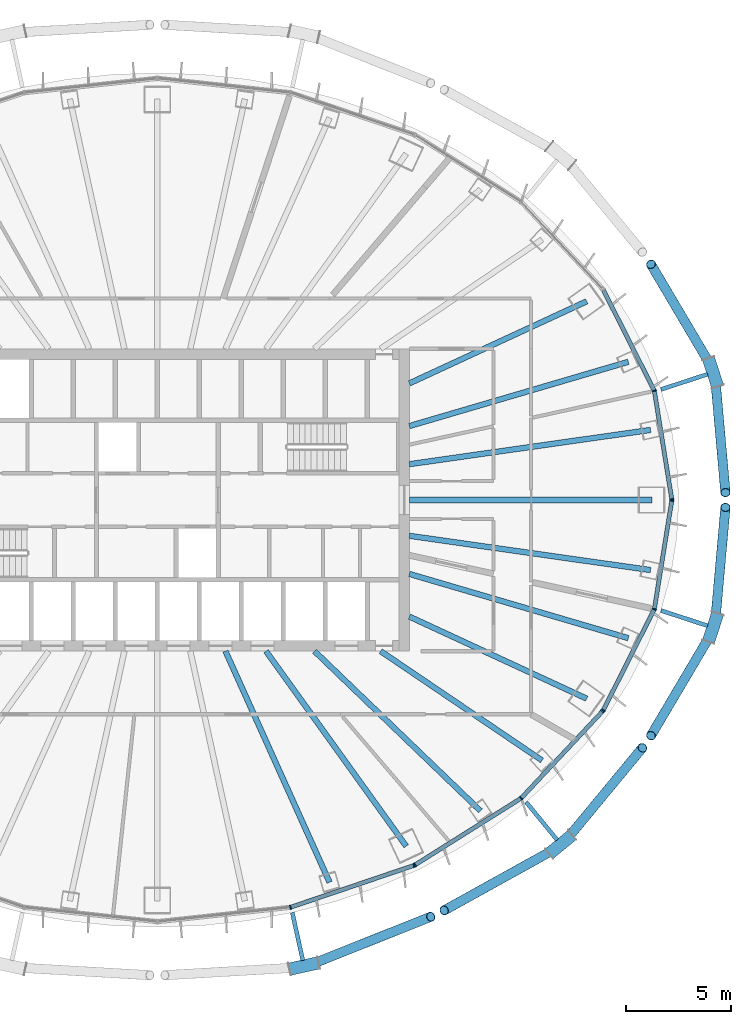
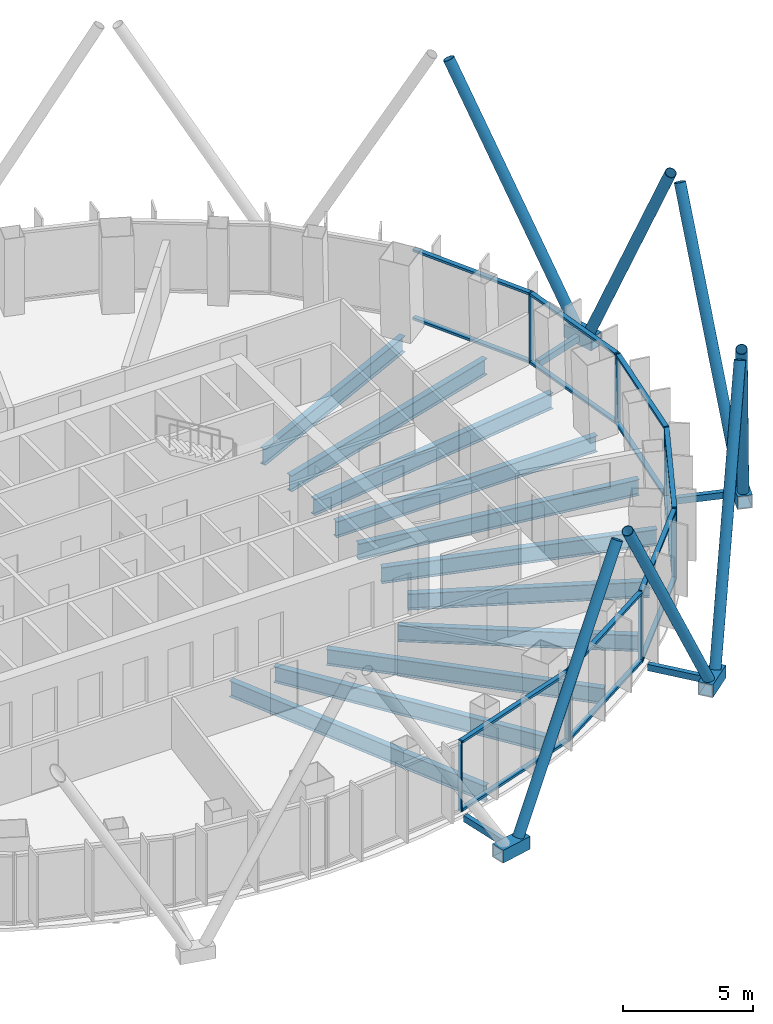
# One storey, part 4 of 18: 39 members, 11 beams, 4 elements without a shape of their own.
"""IFC4 building model written with IfcOpenShell, lengths in metres."""

from ifc_helpers import new_model, si_unit, direction, frame, origin, origin_2d, place, context, subcontext, project, spatial, rectangle, hollow_rectangle, hollow_circle, i_section, extrude, material, layer, layer_set, material_profile, profile_set, type_object, element, aggregate, save


model = new_model("IFC4")

# Units and contexts
model_context = context("Model", 3, precision=1e-05, world=origin(), true_north=direction((0.0, 1.0)))
body_context = subcontext(model_context, "Body", "Model", "MODEL_VIEW")
ifc_project = project(units=[si_unit("LENGTHUNIT", "METRE"), si_unit("AREAUNIT", "SQUARE_METRE"), si_unit("VOLUMEUNIT", "CUBIC_METRE"), si_unit("PLANEANGLEUNIT", "RADIAN"), si_unit("MASSUNIT", "GRAM", prefix="KILO")], contexts=[model_context])

# Site, building, storey
site_placement = place(None, origin())
site = spatial("IfcSite", under=ifc_project, at=site_placement, CompositionType="ELEMENT")
building_placement = place(site_placement, origin())
building = spatial("IfcBuilding", under=site, at=building_placement, Name="Siaravel Broadcast Tower", CompositionType="ELEMENT")
storey_placement = place(building_placement, frame((0.0, 0.0, 141.5)))
storey = spatial("IfcBuildingStorey", under=building, at=storey_placement, Name="L34", CompositionType="ELEMENT", Elevation=141.5)

# Beams
ifc_material_1 = material(Name="Steel S355", Category="steel")
ifc_material_profile_1 = material_profile(ifc_material_1, i_section(OverallWidth=0.26513671875, OverallDepth=0.75390625, WebThickness=0.0126953125, FlangeThickness=0.017578125, FilletRadius=0.0166015625, at=origin_2d()))
ifc_profile_set_1 = profile_set([ifc_material_profile_1], Name="Steel S355")
beam_type = type_object("IfcBeamType", Name="BM-UB 762x267x147", PredefinedType="BEAM", material=ifc_profile_set_1)
beam_1_placement = place(storey_placement, frame((23.544921875, 0.0, -0.52685546875), z_axis=(-1.0, 0.0, 0.0), x_axis=(0.0, -1.0, 0.0)))
element("IfcBeam", 1, at=beam_1_placement, inside=storey, type_object=beam_type, Name="Radial beam RB01", PredefinedType="BEAM", context=body_context, shape_type="SweptSolid", body=[
    extrude(i_section(OverallWidth=0.26513671875, OverallDepth=0.75390625, WebThickness=0.0126953125, FlangeThickness=0.017578125, FilletRadius=0.0166015625, at=origin_2d()), origin(), (0.0, 0.0, 1.0), 11.544921875),
])
beam_2_placement = place(storey_placement, frame((23.48828125, 3.337158203125, -0.52685546875), z_axis=(-0.990056094, -0.140673135, 0.0), x_axis=(0.140673135, -0.990056094, 0.0)))
element("IfcBeam", 2, at=beam_2_placement, inside=storey, type_object=beam_type, Name="Radial beam RB02", PredefinedType="BEAM", context=body_context, shape_type="SweptSolid", body=[
    extrude(i_section(OverallWidth=0.26513671875, OverallDepth=0.75390625, WebThickness=0.0126953125, FlangeThickness=0.017578125, FilletRadius=0.0166015625, at=origin_2d()), origin(), (0.0, 0.0, 1.0), 11.603759765625),
])
beam_3_placement = place(storey_placement, frame((22.427490234375, 6.57958984375, -0.52685546875), z_axis=(-0.959560243, -0.281503356, 0.0), x_axis=(0.281503356, -0.959560243, 0.0)))
element("IfcBeam", 3, at=beam_3_placement, inside=storey, type_object=beam_type, Name="Radial beam RB03", PredefinedType="BEAM", context=body_context, shape_type="SweptSolid", body=[
    extrude(i_section(OverallWidth=0.26513671875, OverallDepth=0.75390625, WebThickness=0.0126953125, FlangeThickness=0.017578125, FilletRadius=0.0166015625, at=origin_2d()), origin(), (0.0, 0.0, 1.0), 10.866943359375),
])
beam_4_placement = place(storey_placement, frame((20.444091796875, 9.459716796875, -0.52685546875), z_axis=(-0.907551921, -0.419939889, 0.0), x_axis=(0.419939889, -0.907551921, 0.0)))
element("IfcBeam", 4, at=beam_4_placement, inside=storey, type_object=beam_type, Name="Radial beam RB04", PredefinedType="BEAM", context=body_context, shape_type="SweptSolid", body=[
    extrude(i_section(OverallWidth=0.26513671875, OverallDepth=0.75390625, WebThickness=0.0126953125, FlangeThickness=0.017578125, FilletRadius=0.0166015625, at=origin_2d()), origin(), (0.0, 0.0, 1.0), 9.30419921875),
])
beam_5_placement = place(storey_placement, frame((8.200439453125, -18.202880859375, -0.52685546875), z_axis=(-0.410741495, 0.911751844, 0.0), x_axis=(-0.911751844, -0.410741495, 0.0)))
element("IfcBeam", 5, at=beam_5_placement, inside=storey, type_object=beam_type, Name="Radial beam RB30", PredefinedType="BEAM", context=body_context, shape_type="SweptSolid", body=[
    extrude(i_section(OverallWidth=0.26513671875, OverallDepth=0.75390625, WebThickness=0.0126953125, FlangeThickness=0.017578125, FilletRadius=0.0166015625, at=origin_2d()), origin(), (0.0, 0.0, 1.0), 12.06787109375),
])
beam_6_placement = place(storey_placement, frame((11.852294921875, -16.488037109375, -0.52685546875), z_axis=(-0.58369058, 0.811976174, 0.0), x_axis=(-0.811976174, -0.58369058, 0.0)))
element("IfcBeam", 6, at=beam_6_placement, inside=storey, type_object=beam_type, Name="Radial beam RB31", PredefinedType="BEAM", context=body_context, shape_type="SweptSolid", body=[
    extrude(i_section(OverallWidth=0.26513671875, OverallDepth=0.75390625, WebThickness=0.0126953125, FlangeThickness=0.017578125, FilletRadius=0.0166015625, at=origin_2d()), origin(), (0.0, 0.0, 1.0), 11.43896484375),
])
beam_7_placement = place(storey_placement, frame((15.38818359375, -14.8046875, -0.52685546875), z_axis=(-0.720630298, 0.693319532, 0.0), x_axis=(-0.693319532, -0.720630298, 0.0)))
element("IfcBeam", 7, at=beam_7_placement, inside=storey, type_object=beam_type, Name="Radial beam RB32", PredefinedType="BEAM", context=body_context, shape_type="SweptSolid", body=[
    extrude(i_section(OverallWidth=0.26513671875, OverallDepth=0.75390625, WebThickness=0.0126953125, FlangeThickness=0.017578125, FilletRadius=0.0166015625, at=origin_2d()), origin(), (0.0, 0.0, 1.0), 10.968505859375),
])
beam_8_placement = place(storey_placement, frame((18.3203125, -12.4033203125, -0.52685546875), z_axis=(-0.828075469, 0.560616641, 0.0), x_axis=(-0.560616641, -0.828075469, 0.0)))
element("IfcBeam", 8, at=beam_8_placement, inside=storey, type_object=beam_type, Name="Radial beam RB33", PredefinedType="BEAM", context=body_context, shape_type="SweptSolid", body=[
    extrude(i_section(OverallWidth=0.26513671875, OverallDepth=0.75390625, WebThickness=0.0126953125, FlangeThickness=0.017578125, FilletRadius=0.0166015625, at=origin_2d()), origin(), (0.0, 0.0, 1.0), 9.281494140625),
])
beam_9_placement = place(storey_placement, frame((20.444091796875, -9.459716796875, -0.52685546875), z_axis=(-0.907551921, 0.419939889, 0.0), x_axis=(-0.419939889, -0.907551921, 0.0)))
element("IfcBeam", 9, at=beam_9_placement, inside=storey, type_object=beam_type, Name="Radial beam RB34", PredefinedType="BEAM", context=body_context, shape_type="SweptSolid", body=[
    extrude(i_section(OverallWidth=0.26513671875, OverallDepth=0.75390625, WebThickness=0.0126953125, FlangeThickness=0.017578125, FilletRadius=0.0166015625, at=origin_2d()), origin(), (0.0, 0.0, 1.0), 9.30419921875),
])
beam_10_placement = place(storey_placement, frame((22.427490234375, -6.57958984375, -0.52685546875), z_axis=(-0.959560243, 0.281503356, 0.0), x_axis=(-0.281503356, -0.959560243, 0.0)))
element("IfcBeam", 10, at=beam_10_placement, inside=storey, type_object=beam_type, Name="Radial beam RB35", PredefinedType="BEAM", context=body_context, shape_type="SweptSolid", body=[
    extrude(i_section(OverallWidth=0.26513671875, OverallDepth=0.75390625, WebThickness=0.0126953125, FlangeThickness=0.017578125, FilletRadius=0.0166015625, at=origin_2d()), origin(), (0.0, 0.0, 1.0), 10.866943359375),
])
beam_11_placement = place(storey_placement, frame((23.48828125, -3.337158203125, -0.52685546875), z_axis=(-0.990056094, 0.140673135, 0.0), x_axis=(-0.140673135, -0.990056094, 0.0)))
element("IfcBeam", 11, at=beam_11_placement, inside=storey, type_object=beam_type, Name="Radial beam RB36", PredefinedType="BEAM", context=body_context, shape_type="SweptSolid", body=[
    extrude(i_section(OverallWidth=0.26513671875, OverallDepth=0.75390625, WebThickness=0.0126953125, FlangeThickness=0.017578125, FilletRadius=0.0166015625, at=origin_2d()), origin(), (0.0, 0.0, 1.0), 11.603759765625),
])

# Curtain wall, members
ifc_material_2 = material(Name="Aluminium 6063-T6", Category="aluminium")
ifc_layer = layer(ifc_material_2, 0.199951171875)
ifc_layer_set = layer_set([ifc_layer], Name="Aluminium 6063-T6")
curtain_wall_type = type_object("IfcCurtainWallType", Name="Unitised curtain wall, zone 2", PredefinedType="NOTDEFINED", material=ifc_layer_set)
curtain_wall_1_placement = place(storey_placement, origin())
curtain_wall_1 = element("IfcCurtainWall", 12, at=curtain_wall_1_placement, inside=storey, type_object=curtain_wall_type, Name="L34 Unitised curtain wall, zone 2 01", PredefinedType="NOTDEFINED")
ifc_material_profile_2 = material_profile(ifc_material_2, rectangle(XDim=0.199951171875, YDim=0.06494140625, at=origin_2d()))
ifc_profile_set_2 = profile_set([ifc_material_profile_2], Name="Aluminium 6063-T6")
member_type_1 = type_object("IfcMemberType", Name="CW-Z2 mullion", PredefinedType="MULLION", material=ifc_profile_set_2)
member_1_placement = place(storey_placement, frame((24.49755859375, 0.031982421875, 0.0), z_axis=(0.0, 0.0, 1.0), x_axis=(-0.987329211, -0.158685314, 0.0)))
member_1 = element("IfcMember", 13, at=member_1_placement, type_object=member_type_1, Name="CW-Z2 mullion 1", PredefinedType="MULLION", context=body_context, shape_type="SweptSolid", body=[
    extrude(rectangle(XDim=0.199951171875, YDim=0.06494140625, at=origin_2d()), origin(), (0.0, 0.0, 1.0), 3.300048828125),
])
member_2_placement = place(storey_placement, frame((23.6669921875, 5.19970703125, 0.0), z_axis=(0.0, 0.0, 1.0), x_axis=(-0.951177322, -0.308644947, 0.0)))
member_2 = element("IfcMember", 14, at=member_2_placement, type_object=member_type_1, Name="CW-Z2 mullion 2", PredefinedType="MULLION", context=body_context, shape_type="SweptSolid", body=[
    extrude(rectangle(XDim=0.199951171875, YDim=0.06494140625, at=origin_2d()), origin(), (0.0, 0.0, 1.0), 3.300048828125),
])

curtain_wall_2_placement = place(storey_placement, origin())
curtain_wall_2 = element("IfcCurtainWall", 15, at=curtain_wall_2_placement, inside=storey, type_object=curtain_wall_type, Name="L34 Unitised curtain wall, zone 2 10", PredefinedType="NOTDEFINED")
member_3_placement = place(storey_placement, frame((6.339599609375, -19.39599609375, 0.0), z_axis=(0.0, 0.0, 1.0), x_axis=(-0.215558352, 0.976490961, 0.0)))
member_3 = element("IfcMember", 16, at=member_3_placement, type_object=member_type_1, Name="CW-Z2 mullion 2", PredefinedType="MULLION", context=body_context, shape_type="SweptSolid", body=[
    extrude(rectangle(XDim=0.199951171875, YDim=0.06494140625, at=origin_2d()), origin(), (0.0, 0.0, 1.0), 3.300048828125),
])
member_4_placement = place(storey_placement, frame((12.217041015625, -17.40185546875, 0.0), z_axis=(0.0, 0.0, 1.0), x_axis=(-0.321301028, 0.946977111, 0.0)))
member_4 = element("IfcMember", 17, at=member_4_placement, type_object=member_type_1, Name="CW-Z2 mullion 3", PredefinedType="MULLION", context=body_context, shape_type="SweptSolid", body=[
    extrude(rectangle(XDim=0.199951171875, YDim=0.06494140625, at=origin_2d()), origin(), (0.0, 0.0, 1.0), 3.300048828125),
])

curtain_wall_3_placement = place(storey_placement, origin())
curtain_wall_3 = element("IfcCurtainWall", 18, at=curtain_wall_3_placement, inside=storey, type_object=curtain_wall_type, Name="L34 Unitised curtain wall, zone 2 11", PredefinedType="NOTDEFINED")
member_5_placement = place(storey_placement, frame((12.275390625, -17.3740234375, 0.0), z_axis=(0.0, 0.0, 1.0), x_axis=(-0.532149741, 0.846650254, 0.0)))
member_5 = element("IfcMember", 19, at=member_5_placement, type_object=member_type_1, Name="CW-Z2 mullion 1", PredefinedType="MULLION", context=body_context, shape_type="SweptSolid", body=[
    extrude(rectangle(XDim=0.199951171875, YDim=0.06494140625, at=origin_2d()), origin(), (0.0, 0.0, 1.0), 3.300048828125),
])
member_6_placement = place(storey_placement, frame((17.322509765625, -14.20166015625, 0.0), z_axis=(0.0, 0.0, 1.0), x_axis=(-0.636219116, 0.771508416, 0.0)))
member_6 = element("IfcMember", 20, at=member_6_placement, type_object=member_type_1, Name="CW-Z2 mullion 2", PredefinedType="MULLION", context=body_context, shape_type="SweptSolid", body=[
    extrude(rectangle(XDim=0.199951171875, YDim=0.06494140625, at=origin_2d()), origin(), (0.0, 0.0, 1.0), 3.300048828125),
])
member_7_placement = place(storey_placement, frame((21.1953125, -10.0673828125, 0.0), z_axis=(0.0, 0.0, 1.0), x_axis=(-0.72980568, 0.683654642, 0.0)))
member_7 = element("IfcMember", 21, at=member_7_placement, type_object=member_type_1, Name="CW-Z2 mullion 3", PredefinedType="MULLION", context=body_context, shape_type="SweptSolid", body=[
    extrude(rectangle(XDim=0.199951171875, YDim=0.06494140625, at=origin_2d()), origin(), (0.0, 0.0, 1.0), 3.300048828125),
])

curtain_wall_4_placement = place(storey_placement, origin())
curtain_wall_4 = element("IfcCurtainWall", 22, at=curtain_wall_4_placement, inside=storey, type_object=curtain_wall_type, Name="L34 Unitised curtain wall, zone 2 12", PredefinedType="NOTDEFINED")
member_8_placement = place(storey_placement, frame((21.232421875, -10.0146484375, 0.0), z_axis=(0.0, 0.0, 1.0), x_axis=(-0.89239231, 0.451260419, 0.0)))
member_8 = element("IfcMember", 23, at=member_8_placement, type_object=member_type_1, Name="CW-Z2 mullion 1", PredefinedType="MULLION", context=body_context, shape_type="SweptSolid", body=[
    extrude(rectangle(XDim=0.199951171875, YDim=0.06494140625, at=origin_2d()), origin(), (0.0, 0.0, 1.0), 3.300048828125),
])
member_9_placement = place(storey_placement, frame((23.6669921875, -5.19970703125, 0.0), z_axis=(0.0, 0.0, 1.0), x_axis=(-0.951177322, 0.308644947, 0.0)))
member_9 = element("IfcMember", 24, at=member_9_placement, type_object=member_type_1, Name="CW-Z2 mullion 2", PredefinedType="MULLION", context=body_context, shape_type="SweptSolid", body=[
    extrude(rectangle(XDim=0.199951171875, YDim=0.06494140625, at=origin_2d()), origin(), (0.0, 0.0, 1.0), 3.300048828125),
])
member_10_placement = place(storey_placement, frame((24.49755859375, -0.031982421875, 0.0), z_axis=(0.0, 0.0, 1.0), x_axis=(-0.987329211, 0.158685314, 0.0)))
member_10 = element("IfcMember", 25, at=member_10_placement, type_object=member_type_1, Name="CW-Z2 mullion 3", PredefinedType="MULLION", context=body_context, shape_type="SweptSolid", body=[
    extrude(rectangle(XDim=0.199951171875, YDim=0.06494140625, at=origin_2d()), origin(), (0.0, 0.0, 1.0), 3.300048828125),
])

# Member
ifc_material_profile_3 = material_profile(ifc_material_2, rectangle(XDim=0.199951171875, YDim=0.110107421875, at=origin_2d()))
ifc_profile_set_3 = profile_set([ifc_material_profile_3], Name="Aluminium 6063-T6")
member_type_2 = type_object("IfcMemberType", Name="CW-Z2 transom", PredefinedType="USERDEFINED", material=ifc_profile_set_3)
member_11_placement = place(storey_placement, frame((24.492431640625, 0.064208984375, 0.054931640625), z_axis=(-0.158659184, 0.98733341, 0.0), x_axis=(-0.98733341, -0.158659184, 0.0)))
member_11 = element("IfcMember", 26, at=member_11_placement, type_object=member_type_2, Name="CW-Z2 transom 1", ObjectType="TRANSOM", PredefinedType="USERDEFINED", context=body_context, shape_type="SweptSolid", body=[
    extrude(rectangle(XDim=0.199951171875, YDim=0.110107421875, at=origin_2d()), origin(), (0.0, 0.0, 1.0), 5.168701171875),
])

member_12_placement = place(storey_placement, frame((24.492431640625, 0.064208984375, 3.2451171875), z_axis=(-0.158659184, 0.98733341, 0.0), x_axis=(-0.98733341, -0.158659184, 0.0)))
member_12 = element("IfcMember", 27, at=member_12_placement, type_object=member_type_2, Name="CW-Z2 transom 1", ObjectType="TRANSOM", PredefinedType="USERDEFINED", context=body_context, shape_type="SweptSolid", body=[
    extrude(rectangle(XDim=0.199951171875, YDim=0.110107421875, at=origin_2d()), origin(), (0.0, 0.0, 1.0), 5.168701171875),
])

member_13_placement = place(storey_placement, frame((23.65234375, 5.228515625, 0.054931640625), z_axis=(-0.451257646, 0.892393712, 0.0), x_axis=(-0.892393712, -0.451257646, 0.0)))
member_13 = element("IfcMember", 28, at=member_13_placement, type_object=member_type_2, Name="CW-Z2 transom 2", ObjectType="TRANSOM", PredefinedType="USERDEFINED", context=body_context, shape_type="SweptSolid", body=[
    extrude(rectangle(XDim=0.199951171875, YDim=0.110107421875, at=origin_2d()), origin(), (0.0, 0.0, 1.0), 5.330810546875),
])

member_14_placement = place(storey_placement, frame((23.65234375, 5.228515625, 3.2451171875), z_axis=(-0.451257646, 0.892393712, 0.0), x_axis=(-0.892393712, -0.451257646, 0.0)))
member_14 = element("IfcMember", 29, at=member_14_placement, type_object=member_type_2, Name="CW-Z2 transom 2", ObjectType="TRANSOM", PredefinedType="USERDEFINED", context=body_context, shape_type="SweptSolid", body=[
    extrude(rectangle(XDim=0.199951171875, YDim=0.110107421875, at=origin_2d()), origin(), (0.0, 0.0, 1.0), 5.330810546875),
])

aggregate(curtain_wall_1, [member_1, member_2, member_11, member_12, member_13, member_14])

member_15_placement = place(storey_placement, frame((6.370361328125, -19.385498046875, 0.054931640625), z_axis=(0.946972221, 0.321315442, 0.0), x_axis=(-0.321315442, 0.946972221, 0.0)))
member_15 = element("IfcMember", 30, at=member_15_placement, type_object=member_type_2, Name="CW-Z2 transom 2", ObjectType="TRANSOM", PredefinedType="USERDEFINED", context=body_context, shape_type="SweptSolid", body=[
    extrude(rectangle(XDim=0.199951171875, YDim=0.110107421875, at=origin_2d()), origin(), (0.0, 0.0, 1.0), 6.1416015625),
])

member_16_placement = place(storey_placement, frame((6.370361328125, -19.385498046875, 3.2451171875), z_axis=(0.946972221, 0.321315442, 0.0), x_axis=(-0.321315442, 0.946972221, 0.0)))
member_16 = element("IfcMember", 31, at=member_16_placement, type_object=member_type_2, Name="CW-Z2 transom 2", ObjectType="TRANSOM", PredefinedType="USERDEFINED", context=body_context, shape_type="SweptSolid", body=[
    extrude(rectangle(XDim=0.199951171875, YDim=0.110107421875, at=origin_2d()), origin(), (0.0, 0.0, 1.0), 6.1416015625),
])

aggregate(curtain_wall_2, [member_3, member_4, member_15, member_16])

member_17_placement = place(storey_placement, frame((12.302734375, -17.356689453125, 0.054931640625), z_axis=(0.846655737, 0.532141018, 0.0), x_axis=(-0.532141018, 0.846655737, 0.0)))
member_17 = element("IfcMember", 32, at=member_17_placement, type_object=member_type_2, Name="CW-Z2 transom 1", ObjectType="TRANSOM", PredefinedType="USERDEFINED", context=body_context, shape_type="SweptSolid", body=[
    extrude(rectangle(XDim=0.199951171875, YDim=0.110107421875, at=origin_2d()), origin(), (0.0, 0.0, 1.0), 5.896240234375),
])

member_18_placement = place(storey_placement, frame((12.302734375, -17.356689453125, 3.2451171875), z_axis=(0.846655737, 0.532141018, 0.0), x_axis=(-0.532141018, 0.846655737, 0.0)))
member_18 = element("IfcMember", 33, at=member_18_placement, type_object=member_type_2, Name="CW-Z2 transom 1", ObjectType="TRANSOM", PredefinedType="USERDEFINED", context=body_context, shape_type="SweptSolid", body=[
    extrude(rectangle(XDim=0.199951171875, YDim=0.110107421875, at=origin_2d()), origin(), (0.0, 0.0, 1.0), 5.896240234375),
])

member_19_placement = place(storey_placement, frame((17.344482421875, -14.177978515625, 0.054931640625), z_axis=(0.683668449, 0.729792746, 0.0), x_axis=(-0.729792746, 0.683668449, 0.0)))
member_19 = element("IfcMember", 34, at=member_19_placement, type_object=member_type_2, Name="CW-Z2 transom 2", ObjectType="TRANSOM", PredefinedType="USERDEFINED", context=body_context, shape_type="SweptSolid", body=[
    extrude(rectangle(XDim=0.199951171875, YDim=0.110107421875, at=origin_2d()), origin(), (0.0, 0.0, 1.0), 5.60009765625),
])

member_20_placement = place(storey_placement, frame((17.344482421875, -14.177978515625, 3.2451171875), z_axis=(0.683668449, 0.729792746, 0.0), x_axis=(-0.729792746, 0.683668449, 0.0)))
member_20 = element("IfcMember", 35, at=member_20_placement, type_object=member_type_2, Name="CW-Z2 transom 2", ObjectType="TRANSOM", PredefinedType="USERDEFINED", context=body_context, shape_type="SweptSolid", body=[
    extrude(rectangle(XDim=0.199951171875, YDim=0.110107421875, at=origin_2d()), origin(), (0.0, 0.0, 1.0), 5.60009765625),
])

aggregate(curtain_wall_3, [member_5, member_6, member_7, member_17, member_18, member_19, member_20])

member_21_placement = place(storey_placement, frame((21.246826171875, -9.985595703125, 0.054931640625), z_axis=(0.451257646, 0.892393712, 0.0), x_axis=(-0.892393712, 0.451257646, 0.0)))
member_21 = element("IfcMember", 36, at=member_21_placement, type_object=member_type_2, Name="CW-Z2 transom 1", ObjectType="TRANSOM", PredefinedType="USERDEFINED", context=body_context, shape_type="SweptSolid", body=[
    extrude(rectangle(XDim=0.199951171875, YDim=0.110107421875, at=origin_2d()), origin(), (0.0, 0.0, 1.0), 5.330810546875),
])

member_22_placement = place(storey_placement, frame((21.246826171875, -9.985595703125, 3.2451171875), z_axis=(0.451257646, 0.892393712, 0.0), x_axis=(-0.892393712, 0.451257646, 0.0)))
member_22 = element("IfcMember", 37, at=member_22_placement, type_object=member_type_2, Name="CW-Z2 transom 1", ObjectType="TRANSOM", PredefinedType="USERDEFINED", context=body_context, shape_type="SweptSolid", body=[
    extrude(rectangle(XDim=0.199951171875, YDim=0.110107421875, at=origin_2d()), origin(), (0.0, 0.0, 1.0), 5.330810546875),
])

member_23_placement = place(storey_placement, frame((23.67236328125, -5.16748046875, 0.054931640625), z_axis=(0.158659184, 0.98733341, 0.0), x_axis=(-0.98733341, 0.158659184, 0.0)))
member_23 = element("IfcMember", 38, at=member_23_placement, type_object=member_type_2, Name="CW-Z2 transom 2", ObjectType="TRANSOM", PredefinedType="USERDEFINED", context=body_context, shape_type="SweptSolid", body=[
    extrude(rectangle(XDim=0.199951171875, YDim=0.110107421875, at=origin_2d()), origin(), (0.0, 0.0, 1.0), 5.168701171875),
])

member_24_placement = place(storey_placement, frame((23.67236328125, -5.16748046875, 3.2451171875), z_axis=(0.158659184, 0.98733341, 0.0), x_axis=(-0.98733341, 0.158659184, 0.0)))
member_24 = element("IfcMember", 39, at=member_24_placement, type_object=member_type_2, Name="CW-Z2 transom 2", ObjectType="TRANSOM", PredefinedType="USERDEFINED", context=body_context, shape_type="SweptSolid", body=[
    extrude(rectangle(XDim=0.199951171875, YDim=0.110107421875, at=origin_2d()), origin(), (0.0, 0.0, 1.0), 5.168701171875),
])

aggregate(curtain_wall_4, [member_8, member_9, member_10, member_21, member_22, member_23, member_24])

# Members
ifc_material_3 = material(Name="Steel S460", Category="steel")
ifc_material_profile_4 = material_profile(ifc_material_3, hollow_circle(Radius=0.228515625, WallThickness=0.02001953125, at=origin_2d()))
ifc_profile_set_4 = profile_set([ifc_material_profile_4], Name="Steel S460")
member_type_3 = type_object("IfcMemberType", Name="Diagrid diagonal CHS 457x20", PredefinedType="BRACE", material=ifc_profile_set_4)
member_25_placement = place(storey_placement, frame((26.57080078125, 5.739990234375, 0.070068359375), z_axis=(0.04061787, -0.454162929, 0.88999226), x_axis=(0.996024561, 0.089079036, 0.0)))
element("IfcMember", 40, at=member_25_placement, inside=storey, type_object=member_type_3, Name="Diagrid diagonal R14 station 03C", PredefinedType="BRACE", context=body_context, shape_type="SweptSolid", body=[
    extrude(hollow_circle(Radius=0.228515625, WallThickness=0.02001953125, at=origin_2d()), origin(), (0.0, 0.0, 1.0), 11.864990234375),
])
member_26_placement = place(storey_placement, frame((26.3525390625, 6.40771484375, 0.070068359375), z_axis=(-0.238312597, 0.403125389, 0.883570612), x_axis=(-0.860830986, -0.508890964, 0.0)))
element("IfcMember", 41, at=member_26_placement, inside=storey, type_object=member_type_3, Name="Diagrid diagonal R14 station 03A", PredefinedType="BRACE", context=body_context, shape_type="SweptSolid", body=[
    extrude(hollow_circle(Radius=0.228515625, WallThickness=0.02001953125, at=origin_2d()), origin(), (0.0, 0.0, 1.0), 11.951416015625),
])
member_27_placement = place(storey_placement, frame((7.328857421875, -22.115234375, 0.070068359375), z_axis=(0.466182885, 0.185817234, 0.864954029), x_axis=(-0.370263678, 0.928926697, 0.0)))
element("IfcMember", 42, at=member_27_placement, inside=storey, type_object=member_type_3, Name="Diagrid diagonal R14 station 57A", PredefinedType="BRACE", context=body_context, shape_type="SweptSolid", body=[
    extrude(hollow_circle(Radius=0.228515625, WallThickness=0.02001953125, at=origin_2d()), origin(), (0.0, 0.0, 1.0), 12.20849609375),
])
member_28_placement = place(storey_placement, frame((18.93798828125, -16.61962890625, 0.070068359375), z_axis=(-0.434245628, -0.240594195, 0.868069795), x_axis=(0.484636897, -0.874715427, 0.0)))
element("IfcMember", 43, at=member_28_placement, inside=storey, type_object=member_type_3, Name="Diagrid diagonal R14 station 63C", PredefinedType="BRACE", context=body_context, shape_type="SweptSolid", body=[
    extrude(hollow_circle(Radius=0.228515625, WallThickness=0.02001953125, at=origin_2d()), origin(), (0.0, 0.0, 1.0), 12.164794921875),
])
member_29_placement = place(storey_placement, frame((19.481689453125, -16.17431640625, 0.070068359375), z_axis=(0.301770729, 0.364878056, 0.880794205), x_axis=(-0.770598967, 0.637320353, 0.0)))
element("IfcMember", 44, at=member_29_placement, inside=storey, type_object=member_type_3, Name="Diagrid diagonal R14 station 63A", PredefinedType="BRACE", context=body_context, shape_type="SweptSolid", body=[
    extrude(hollow_circle(Radius=0.228515625, WallThickness=0.02001953125, at=origin_2d()), origin(), (0.0, 0.0, 1.0), 11.989013671875),
])
member_30_placement = place(storey_placement, frame((26.3525390625, -6.40771484375, 0.070068359375), z_axis=(-0.238312597, -0.403125389, 0.883570612), x_axis=(0.860830986, -0.508890964, 0.0)))
element("IfcMember", 45, at=member_30_placement, inside=storey, type_object=member_type_3, Name="Diagrid diagonal R14 station 69C", PredefinedType="BRACE", context=body_context, shape_type="SweptSolid", body=[
    extrude(hollow_circle(Radius=0.228515625, WallThickness=0.02001953125, at=origin_2d()), origin(), (0.0, 0.0, 1.0), 11.951416015625),
])
member_31_placement = place(storey_placement, frame((26.57080078125, -5.739990234375, 0.070068359375), z_axis=(0.04061787, 0.454162929, 0.88999226), x_axis=(-0.996024561, 0.089079036, 0.0)))
element("IfcMember", 46, at=member_31_placement, inside=storey, type_object=member_type_3, Name="Diagrid diagonal R14 station 69A", PredefinedType="BRACE", context=body_context, shape_type="SweptSolid", body=[
    extrude(hollow_circle(Radius=0.228515625, WallThickness=0.02001953125, at=origin_2d()), origin(), (0.0, 0.0, 1.0), 11.864990234375),
])
ifc_material_profile_5 = material_profile(ifc_material_3, hollow_rectangle(XDim=0.60009765625, YDim=0.60009765625, WallThickness=0.0400390625, at=origin_2d()))
ifc_profile_set_5 = profile_set([ifc_material_profile_5], Name="Steel S460")
member_type_4 = type_object("IfcMemberType", Name="Diagrid node BOX 600x600x40", PredefinedType="USERDEFINED", material=ifc_profile_set_5)
for number, where, z_axis, x_axis, name in (
    (47, (26.67919921875, 5.40869140625, -0.199951171875), (-0.310832801, 0.950464607, 0.0), (-0.950464607, -0.310832801, 0.0), "Diagrid node R14 station 03"),
    (48, (6.302001953125, -22.340576171875, -0.199951171875), (0.976754142, 0.21436265, 0.0), (-0.21436265, 0.976754142, 0.0), "Diagrid node R14 station 57"),
    (49, (18.66845703125, -16.840576171875, -0.199951171875), (0.773584133, 0.633693609, 0.0), (-0.633693609, 0.773584133, 0.0), "Diagrid node R14 station 63"),
    (50, (26.244140625, -6.739013671875, -0.199951171875), (0.310832801, 0.950464607, 0.0), (-0.950464607, 0.310832801, 0.0), "Diagrid node R14 station 69"),
):
    element("IfcMember", number, at=place(storey_placement, frame(where, z_axis=z_axis, x_axis=x_axis)), inside=storey, type_object=member_type_4, Name=name, ObjectType="DIAGRID NODE", PredefinedType="USERDEFINED", context=body_context, shape_type="SweptSolid", body=[
        extrude(hollow_rectangle(XDim=0.60009765625, YDim=0.60009765625, WallThickness=0.0400390625, at=origin_2d()), origin(), (0.0, 0.0, 1.0), 1.399658203125),
    ])
ifc_material_profile_6 = material_profile(ifc_material_3, hollow_rectangle(XDim=0.199951171875, YDim=0.300048828125, WallThickness=0.012451171875, at=origin_2d()))
ifc_profile_set_6 = profile_set([ifc_material_profile_6], Name="Steel S460")
member_type_5 = type_object("IfcMemberType", Name="Diagrid node arm RHS 300x200x12.5", PredefinedType="STRUT", material=ifc_profile_set_6)
for number, where, z_axis, x_axis, name in (
    (51, (23.990478515625, 5.265380859375, -0.199951171875), (0.950418526, 0.310973673, 0.0), (-0.310973673, 0.950418526, 0.0), "Node arm R14 station 03"),
    (52, (6.42822265625, -19.651123046875, -0.199951171875), (0.214378037, -0.976750765, 0.0), (0.976750765, 0.214378037, 0.0), "Node arm R14 station 57"),
    (53, (17.562255859375, -14.385498046875, -0.199951171875), (0.633699844, -0.773579025, 0.0), (0.773579025, 0.633699844, 0.0), "Node arm R14 station 63"),
    (54, (23.990478515625, -5.265380859375, -0.199951171875), (0.950418526, -0.310973673, 0.0), (0.310973673, 0.950418526, 0.0), "Node arm R14 station 69"),
):
    element("IfcMember", number, at=place(storey_placement, frame(where, z_axis=z_axis, x_axis=x_axis)), inside=storey, type_object=member_type_5, Name=name, PredefinedType="STRUT", context=body_context, shape_type="SweptSolid", body=[
        extrude(hollow_rectangle(XDim=0.199951171875, YDim=0.300048828125, WallThickness=0.012451171875, at=origin_2d()), origin(), (0.0, 0.0, 1.0), 2.330078125),
    ])

save(model, "model.ifc")
